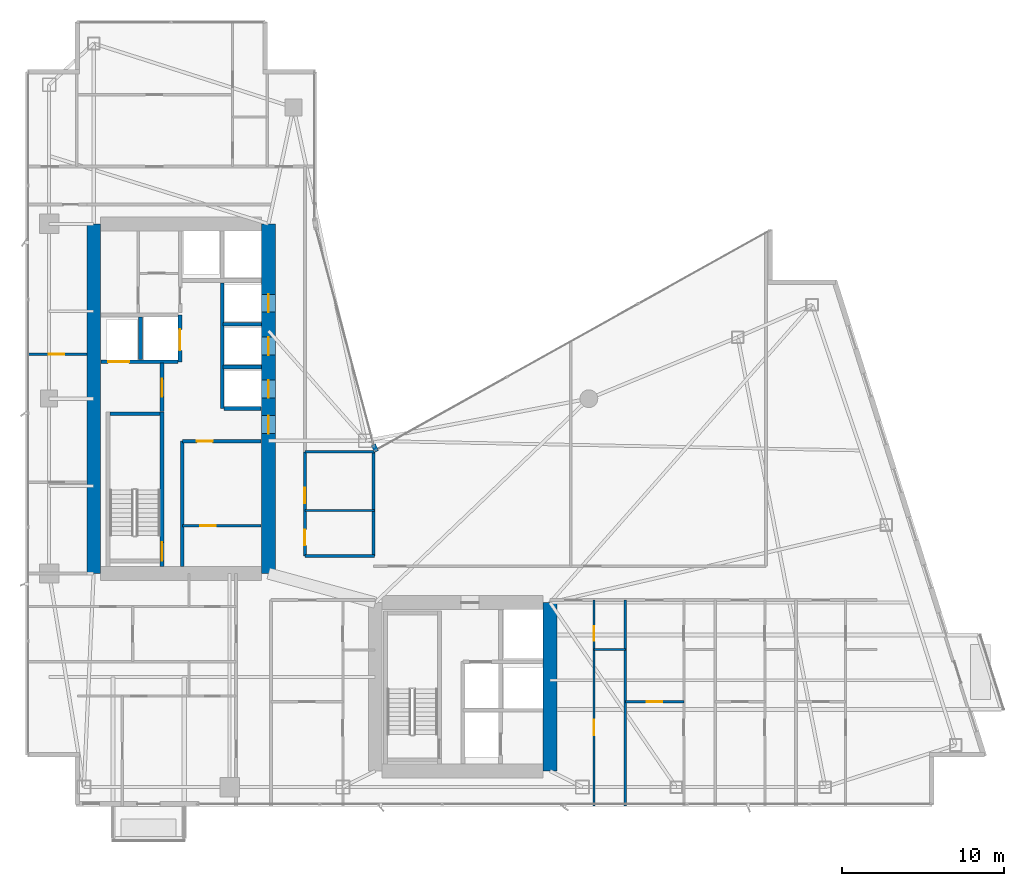
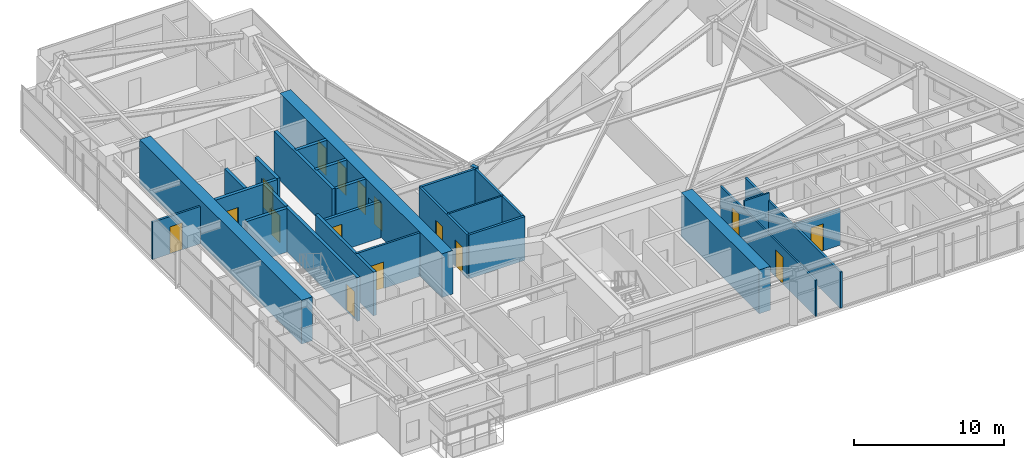
# One storey, part 23 of 29: 27 walls, 16 doors, 16 openings.
"""IFC4 building model written with IfcOpenShell, lengths in metres."""

from ifc_helpers import new_model, si_unit, direction, frame, frame_2d, origin, place, context, subcontext, project, spatial, rectangle, extrude, material, layer, layer_set, type_object, element, fill, save


model = new_model("IFC4")

# Units and contexts
model_context = context("Model", 3, precision=1e-05, world=origin(), true_north=direction((0.0, 1.0)))
body_context = subcontext(model_context, "Body", "Model", "MODEL_VIEW")
ifc_project = project(units=[si_unit("LENGTHUNIT", "METRE"), si_unit("AREAUNIT", "SQUARE_METRE"), si_unit("VOLUMEUNIT", "CUBIC_METRE"), si_unit("PLANEANGLEUNIT", "RADIAN"), si_unit("MASSUNIT", "GRAM", prefix="KILO")], contexts=[model_context])

# Site, building, storey
site_placement = place(None, origin())
site = spatial("IfcSite", under=ifc_project, at=site_placement, CompositionType="ELEMENT")
building_placement = place(site_placement, origin())
building = spatial("IfcBuilding", under=site, at=building_placement, Name="Calvorn Quay Hotel", CompositionType="ELEMENT")
storey_placement = place(building_placement, frame((0.0, 0.0, 167.5)))
storey = spatial("IfcBuildingStorey", under=building, at=storey_placement, Name="L41", CompositionType="ELEMENT", Elevation=167.5)

# Wall
ifc_material_1 = material(Name="Concrete C50", Category="concrete")
ifc_layer_1 = layer(ifc_material_1, 0.85009765625)
ifc_layer_set_1 = layer_set([ifc_layer_1], Name="WL-CORE-850")
wall_type_1 = type_object("IfcWallType", Name="WL-CORE-850", PredefinedType="SHEAR", material=ifc_layer_set_1)
wall_1_placement = place(storey_placement, frame((4.199951171875, 16.800048828125, 0.0), z_axis=(0.0, 0.0, 1.0), x_axis=(0.0, 1.0, 0.0)))
element("IfcWall", 1, at=wall_1_placement, inside=storey, type_object=wall_type_1, Name="West Core Shear Wall W (L41)", PredefinedType="SHEAR", context=body_context, shape_type="SweptSolid", body=[
    extrude(rectangle(XDim=21.599853515625, YDim=0.85009765625, at=frame_2d((10.7998046875, 0.0))), origin(), (0.0, 0.0, 1.0), 3.56005859375),
])

# Wall, openings, doors
wall_2_placement = place(storey_placement, frame((15.0, 16.800048828125, 0.0), z_axis=(0.0, 0.0, 1.0), x_axis=(0.0, 1.0, 0.0)))
wall_2 = element("IfcWall", 2, at=wall_2_placement, inside=storey, type_object=wall_type_1, Name="West Core Shear Wall E (L41)", PredefinedType="SHEAR", context=body_context, shape_type="SweptSolid", body=[
    extrude(rectangle(XDim=21.599853515625, YDim=0.85009765625, at=frame_2d((10.7998046875, 0.0))), origin(), (0.0, 0.0, 1.0), 3.56005859375),
])
opening_1_placement = place(wall_2_placement, frame((8.64990234375, 0.0, 0.0)))
opening_1 = element("IfcOpeningElement", 3, at=opening_1_placement, cuts=wall_2, Name="Opening D-L41-CW1", PredefinedType="OPENING", context=body_context, shape_type="SweptSolid", body=[
    extrude(rectangle(XDim=1.10009765625, YDim=2.199951171875, at=frame_2d((0.550048828125, 1.10009765625))), frame((0.0, 0.43505859375, 0.0), z_axis=(0.0, -1.0, 0.0), x_axis=(1.0, 0.0, 0.0)), (0.0, 0.0, 1.0), 0.8701171875),
])
opening_2_placement = place(wall_2_placement, frame((10.85009765625, 0.0, 0.0)))
opening_2 = element("IfcOpeningElement", 4, at=opening_2_placement, cuts=wall_2, Name="Opening LD-L41-M1", PredefinedType="OPENING", context=body_context, shape_type="SweptSolid", body=[
    extrude(rectangle(XDim=1.10009765625, YDim=2.199951171875, at=frame_2d((0.550048828125, 1.10009765625))), frame((0.0, 0.43505859375, 0.0), z_axis=(0.0, -1.0, 0.0), x_axis=(1.0, 0.0, 0.0)), (0.0, 0.0, 1.0), 0.8701171875),
])
opening_3_placement = place(wall_2_placement, frame((13.5, 0.0, 0.0)))
opening_3 = element("IfcOpeningElement", 5, at=opening_3_placement, cuts=wall_2, Name="Opening LD-L41-M2", PredefinedType="OPENING", context=body_context, shape_type="SweptSolid", body=[
    extrude(rectangle(XDim=1.10009765625, YDim=2.199951171875, at=frame_2d((0.550048828125, 1.10009765625))), frame((0.0, 0.43505859375, 0.0), z_axis=(0.0, -1.0, 0.0), x_axis=(1.0, 0.0, 0.0)), (0.0, 0.0, 1.0), 0.8701171875),
])
opening_4_placement = place(wall_2_placement, frame((16.14990234375, 0.0, 0.0)))
opening_4 = element("IfcOpeningElement", 6, at=opening_4_placement, cuts=wall_2, Name="Opening LD-L41-M3", PredefinedType="OPENING", context=body_context, shape_type="SweptSolid", body=[
    extrude(rectangle(XDim=1.10009765625, YDim=2.199951171875, at=frame_2d((0.550048828125, 1.10009765625))), frame((0.0, 0.43505859375, 0.0), z_axis=(0.0, -1.0, 0.0), x_axis=(1.0, 0.0, 0.0)), (0.0, 0.0, 1.0), 0.8701171875),
])
ifc_material_2 = material(Name="Smoke-Sealed Steel Class A Fire Door", Category="steel")
door_type_1 = type_object("IfcDoorType", Name="DR-FFLOBBY-1100", OperationType="NOTDEFINED", PredefinedType="DOOR", material=ifc_material_2)
door_1_placement = place(opening_1_placement, origin())
door_1 = element("IfcDoor", 7, at=door_1_placement, inside=storey, type_object=door_type_1, Name="West Core Vestibule Fire Door (L41)", OperationType="SINGLE_SWING_RIGHT", OverallHeight=2.199951171875, OverallWidth=1.10009765625, PredefinedType="DOOR", context=body_context, shape_type="SweptSolid", body=[
    extrude(rectangle(XDim=1.10009765625, YDim=2.199951171875, at=frame_2d((0.550048828125, 1.10009765625))), frame((0.0, 0.02490234375, 0.0), z_axis=(0.0, -1.0, 0.0), x_axis=(1.0, 0.0, 0.0)), (0.0, 0.0, 1.0), 0.050048828125),
])
fill(opening_1, door_1)
ifc_material_3 = material(Name="Brushed Stainless Steel Sliding Lift Landing Door", Category="steel")
door_type_2 = type_object("IfcDoorType", Name="DR-LIFT-PASS-1100", OperationType="NOTDEFINED", PredefinedType="DOOR", material=ifc_material_3)
door_2_placement = place(opening_2_placement, origin())
door_2 = element("IfcDoor", 8, at=door_2_placement, inside=storey, type_object=door_type_2, Name="Mid-Rise Lift PL-M1 Landing Door (L41)", OperationType="DOUBLE_DOOR_SLIDING", OverallHeight=2.199951171875, OverallWidth=1.10009765625, PredefinedType="DOOR", context=body_context, shape_type="SweptSolid", body=[
    extrude(rectangle(XDim=1.10009765625, YDim=2.199951171875, at=frame_2d((0.550048828125, 1.10009765625))), frame((0.0, 0.02490234375, 0.0), z_axis=(0.0, -1.0, 0.0), x_axis=(1.0, 0.0, 0.0)), (0.0, 0.0, 1.0), 0.050048828125),
])
fill(opening_2, door_2)
door_3_placement = place(opening_3_placement, origin())
door_3 = element("IfcDoor", 9, at=door_3_placement, inside=storey, type_object=door_type_2, Name="Mid-Rise Lift PL-M2 Landing Door (L41)", OperationType="DOUBLE_DOOR_SLIDING", OverallHeight=2.199951171875, OverallWidth=1.10009765625, PredefinedType="DOOR", context=body_context, shape_type="SweptSolid", body=[
    extrude(rectangle(XDim=1.10009765625, YDim=2.199951171875, at=frame_2d((0.550048828125, 1.10009765625))), frame((0.0, 0.02490234375, 0.0), z_axis=(0.0, -1.0, 0.0), x_axis=(1.0, 0.0, 0.0)), (0.0, 0.0, 1.0), 0.050048828125),
])
fill(opening_3, door_3)
door_4_placement = place(opening_4_placement, origin())
door_4 = element("IfcDoor", 10, at=door_4_placement, inside=storey, type_object=door_type_2, Name="Mid-Rise Lift PL-M3 Landing Door (L41)", OperationType="DOUBLE_DOOR_SLIDING", OverallHeight=2.199951171875, OverallWidth=1.10009765625, PredefinedType="DOOR", context=body_context, shape_type="SweptSolid", body=[
    extrude(rectangle(XDim=1.10009765625, YDim=2.199951171875, at=frame_2d((0.550048828125, 1.10009765625))), frame((0.0, 0.02490234375, 0.0), z_axis=(0.0, -1.0, 0.0), x_axis=(1.0, 0.0, 0.0)), (0.0, 0.0, 1.0), 0.050048828125),
])
fill(opening_4, door_4)

# Walls
wall_3_placement = place(storey_placement, frame((32.39990234375, 4.60009765625, 0.0), z_axis=(0.0, 0.0, 1.0), x_axis=(0.0, 1.0, 0.0)))
element("IfcWall", 11, at=wall_3_placement, inside=storey, type_object=wall_type_1, Name="East Core Shear Wall E (L41)", PredefinedType="SHEAR", context=body_context, shape_type="SweptSolid", body=[
    extrude(rectangle(XDim=10.39990234375, YDim=0.85009765625, at=frame_2d((5.199951171875, 0.0))), origin(), (0.0, 0.0, 1.0), 3.56005859375),
])
ifc_material_4 = material(Name="Acoustic Fireboard Steel-Stud Partition", Category="steel")
ifc_layer_2 = layer(ifc_material_4, 0.179931640625)
ifc_layer_set_2 = layer_set([ifc_layer_2], Name="WL-CORR-FIRE-180")
wall_type_2 = type_object("IfcWallType", Name="WL-CORR-FIRE-180", PredefinedType="PARTITIONING", material=ifc_layer_set_2)
wall_4_placement = place(storey_placement, frame((17.25, 17.8798828125, 0.0), z_axis=(0.0, 0.0, 1.0), x_axis=(1.0, 0.0, 0.0)))
element("IfcWall", 12, at=wall_4_placement, inside=storey, type_object=wall_type_2, Name="Partition Wall L41-WL-HK-S", PredefinedType="PARTITIONING", context=body_context, shape_type="SweptSolid", body=[
    extrude(rectangle(XDim=4.300048828125, YDim=0.179931640625, at=frame_2d((2.14990234375, 0.0))), origin(), (0.0, 0.0, 1.0), 3.56005859375),
])
wall_5_placement = place(storey_placement, frame((17.25, 24.320068359375, 0.0), z_axis=(0.0, 0.0, 1.0), x_axis=(1.0, 0.0, 0.0)))
element("IfcWall", 13, at=wall_5_placement, inside=storey, type_object=wall_type_2, Name="Partition Wall L41-WL-HK-N", PredefinedType="PARTITIONING", context=body_context, shape_type="SweptSolid", body=[
    extrude(rectangle(XDim=4.35009765625, YDim=0.179931640625, at=frame_2d((2.175048828125, 0.0))), origin(), (0.0, 0.0, 1.0), 3.56005859375),
])
wall_6_placement = place(storey_placement, frame((21.5, 17.8798828125, 0.0), z_axis=(0.0, 0.0, 1.0), x_axis=(0.0, 1.0, 0.0)))
element("IfcWall", 14, at=wall_6_placement, inside=storey, type_object=wall_type_2, Name="Partition Wall L41-WL-HK-E", PredefinedType="PARTITIONING", context=body_context, shape_type="SweptSolid", body=[
    extrude(rectangle(XDim=6.440185546875, YDim=0.179931640625, at=frame_2d((3.22021484375, 0.0))), origin(), (0.0, 0.0, 1.0), 3.56005859375),
])

# Wall, openings, doors
wall_7_placement = place(storey_placement, frame((17.25, 17.8798828125, 0.0), z_axis=(0.0, 0.0, 1.0), x_axis=(0.0, 1.0, 0.0)))
wall_7 = element("IfcWall", 15, at=wall_7_placement, inside=storey, type_object=wall_type_2, Name="Partition Wall L41-WL-HK-W", PredefinedType="PARTITIONING", context=body_context, shape_type="SweptSolid", body=[
    extrude(rectangle(XDim=6.440185546875, YDim=0.179931640625, at=frame_2d((3.22021484375, 0.0))), origin(), (0.0, 0.0, 1.0), 3.56005859375),
])
opening_5_placement = place(wall_7_placement, frame((0.64990234375, 0.0, 0.0)))
opening_5 = element("IfcOpeningElement", 16, at=opening_5_placement, cuts=wall_7, Name="Opening D-L41-HK", PredefinedType="OPENING", context=body_context, shape_type="SweptSolid", body=[
    extrude(rectangle(XDim=0.97998046875, YDim=2.14990234375, at=frame_2d((0.489990234375, 1.074951171875))), frame((0.0, 0.099853515625, 0.0), z_axis=(0.0, -1.0, 0.0), x_axis=(1.0, 0.0, 0.0)), (0.0, 0.0, 1.0), 0.199951171875),
])
opening_6_placement = place(wall_7_placement, frame((3.27001953125, 0.0, 0.0)))
opening_6 = element("IfcOpeningElement", 17, at=opening_6_placement, cuts=wall_7, Name="Opening D-L41-NCP", PredefinedType="OPENING", context=body_context, shape_type="SweptSolid", body=[
    extrude(rectangle(XDim=0.9599609375, YDim=2.199951171875, at=frame_2d((0.47998046875, 1.10009765625))), frame((0.0, 0.099853515625, 0.0), z_axis=(0.0, -1.0, 0.0), x_axis=(1.0, 0.0, 0.0)), (0.0, 0.0, 1.0), 0.199951171875),
])
ifc_material_5 = material(Name="Painted Steel Housekeeping/Riser Fire Door", Category="steel")
door_type_3 = type_object("IfcDoorType", Name="DR-SERVICE-980", OperationType="NOTDEFINED", PredefinedType="DOOR", material=ifc_material_5)
door_5_placement = place(opening_5_placement, origin())
door_5 = element("IfcDoor", 18, at=door_5_placement, inside=storey, type_object=door_type_3, Name="Floor Housekeeping Door (L41)", OperationType="SINGLE_SWING_LEFT", OverallHeight=2.14990234375, OverallWidth=0.97998046875, PredefinedType="DOOR", context=body_context, shape_type="SweptSolid", body=[
    extrude(rectangle(XDim=0.97998046875, YDim=2.14990234375, at=frame_2d((0.489990234375, 1.074951171875))), frame((0.0, 0.02490234375, 0.0), z_axis=(0.0, -1.0, 0.0), x_axis=(1.0, 0.0, 0.0)), (0.0, 0.0, 1.0), 0.050048828125),
])
fill(opening_5, door_5)
ifc_material_6 = material(Name="Solid Timber Internal Suite Door", Category="wood")
door_type_4 = type_object("IfcDoorType", Name="DR-SUITE-INT-960", OperationType="NOTDEFINED", PredefinedType="DOOR", material=ifc_material_6)
door_6_placement = place(opening_6_placement, origin())
door_6 = element("IfcDoor", 19, at=door_6_placement, inside=storey, type_object=door_type_4, Name="Reading Alcove Door (L41)", OperationType="SINGLE_SWING_RIGHT", OverallHeight=2.199951171875, OverallWidth=0.9599609375, PredefinedType="DOOR", context=body_context, shape_type="SweptSolid", body=[
    extrude(rectangle(XDim=0.9599609375, YDim=2.199951171875, at=frame_2d((0.47998046875, 1.10009765625))), frame((0.0, 0.02490234375, 0.0), z_axis=(0.0, -1.0, 0.0), x_axis=(1.0, 0.0, 0.0)), (0.0, 0.0, 1.0), 0.050048828125),
])
fill(opening_6, door_6)

# Walls
ifc_material_7 = material(Name="Moisture-Resistant Tile-Backed Partition")
ifc_layer_3 = layer(ifc_material_7, 0.125)
ifc_layer_set_3 = layer_set([ifc_layer_3], Name="WL-ENSUITE-125")
wall_type_3 = type_object("IfcWallType", Name="WL-ENSUITE-125", PredefinedType="PARTITIONING", material=ifc_layer_set_3)
wall_8_placement = place(storey_placement, frame((17.25, 20.679931640625, 0.0), z_axis=(0.0, 0.0, 1.0), x_axis=(1.0, 0.0, 0.0)))
element("IfcWall", 20, at=wall_8_placement, inside=storey, type_object=wall_type_3, Name="Partition Wall L41-WL-HK-M", PredefinedType="PARTITIONING", context=body_context, shape_type="SweptSolid", body=[
    extrude(rectangle(XDim=4.300048828125, YDim=0.125, at=frame_2d((2.14990234375, 0.0))), origin(), (0.0, 0.0, 1.0), 3.56005859375),
])
wall_9_placement = place(storey_placement, frame((35.1201171875, 12.10009765625, 0.0), z_axis=(0.0, 0.0, 1.0), x_axis=(1.0, 0.0, 0.0)))
element("IfcWall", 21, at=wall_9_placement, inside=storey, type_object=wall_type_3, Name="Partition Wall L41-WL-U05-BDV", PredefinedType="PARTITIONING", context=body_context, shape_type="SweptSolid", body=[
    extrude(rectangle(XDim=1.929931640625, YDim=0.125, at=frame_2d((0.96484375, 0.0))), origin(), (0.0, 0.0, 1.0), 3.56005859375),
])

# Wall, openings, doors
wall_10_placement = place(storey_placement, frame((35.1201171875, 2.43994140625, 0.0), z_axis=(0.0, 0.0, 1.0), x_axis=(0.0, 1.0, 0.0)))
wall_10 = element("IfcWall", 22, at=wall_10_placement, inside=storey, type_object=wall_type_3, Name="Partition Wall L41-WL-U05-BV", PredefinedType="PARTITIONING", context=body_context, shape_type="SweptSolid", body=[
    extrude(rectangle(XDim=12.7099609375, YDim=0.125, at=frame_2d((6.35498046875, 0.0))), origin(), (0.0, 0.0, 1.0), 2.93994140625),
])
opening_7_placement = place(wall_10_placement, frame((4.35009765625, 0.0, 0.0)))
opening_7 = element("IfcOpeningElement", 23, at=opening_7_placement, cuts=wall_10, Name="Opening D-L41-S05", PredefinedType="OPENING", context=body_context, shape_type="SweptSolid", body=[
    extrude(rectangle(XDim=0.9599609375, YDim=2.199951171875, at=frame_2d((0.47998046875, 1.10009765625))), frame((0.0, 0.072509765625, 0.0), z_axis=(0.0, -1.0, 0.0), x_axis=(1.0, 0.0, 0.0)), (0.0, 0.0, 1.0), 0.14501953125),
])
opening_8_placement = place(wall_10_placement, frame((10.2099609375, 0.0, 0.0)))
opening_8 = element("IfcOpeningElement", 24, at=opening_8_placement, cuts=wall_10, Name="Opening D-L41-E05", PredefinedType="OPENING", context=body_context, shape_type="SweptSolid", body=[
    extrude(rectangle(XDim=0.89990234375, YDim=2.14990234375, at=frame_2d((0.449951171875, 1.074951171875))), frame((0.0, 0.072509765625, 0.0), z_axis=(0.0, -1.0, 0.0), x_axis=(1.0, 0.0, 0.0)), (0.0, 0.0, 1.0), 0.14501953125),
])
ifc_material_8 = material(Name="Moisture-Sealed Timber En-Suite Door", Category="wood")
door_type_5 = type_object("IfcDoorType", Name="DR-ENSUITE-900", OperationType="NOTDEFINED", PredefinedType="DOOR", material=ifc_material_8)
door_7_placement = place(opening_8_placement, origin())
door_7 = element("IfcDoor", 25, at=door_7_placement, inside=storey, type_object=door_type_5, Name="En-Suite Door 05", OperationType="SINGLE_SWING_RIGHT", OverallHeight=2.14990234375, OverallWidth=0.89990234375, PredefinedType="DOOR", context=body_context, shape_type="SweptSolid", body=[
    extrude(rectangle(XDim=0.89990234375, YDim=2.14990234375, at=frame_2d((0.449951171875, 1.074951171875))), frame((0.0, 0.02490234375, 0.0), z_axis=(0.0, -1.0, 0.0), x_axis=(1.0, 0.0, 0.0)), (0.0, 0.0, 1.0), 0.050048828125),
])
fill(opening_8, door_7)
door_8_placement = place(opening_7_placement, origin())
door_8 = element("IfcDoor", 26, at=door_8_placement, inside=storey, type_object=door_type_4, Name="Private Media Cinema Door 05", OperationType="SINGLE_SWING_LEFT", OverallHeight=2.199951171875, OverallWidth=0.9599609375, PredefinedType="DOOR", context=body_context, shape_type="SweptSolid", body=[
    extrude(rectangle(XDim=0.9599609375, YDim=2.199951171875, at=frame_2d((0.47998046875, 1.10009765625))), frame((0.0, 0.02490234375, 0.0), z_axis=(0.0, -1.0, 0.0), x_axis=(1.0, 0.0, 0.0)), (0.0, 0.0, 1.0), 0.050048828125),
])
fill(opening_7, door_8)

# Wall
ifc_material_9 = material(Name="Concrete C40", Category="concrete")
ifc_layer_4 = layer(ifc_material_9, 0.320068359375)
ifc_layer_set_4 = layer_set([ifc_layer_4], Name="WL-EXT-SPANDREL-320")
wall_type_4 = type_object("IfcWallType", Name="WL-EXT-SPANDREL-320", PredefinedType="SOLIDWALL", material=ifc_layer_set_4)
wall_11_placement = place(storey_placement, frame((21.679931640625, 24.340087890625, 0.0), z_axis=(0.0, 0.0, 1.0), x_axis=(-0.40758134973, 0.913168901875, 0.0)))
element("IfcWall", 27, at=wall_11_placement, inside=storey, type_object=wall_type_4, Name="Inner Court Corner Pier L41-ICJ1", PredefinedType="SOLIDWALL", context=body_context, shape_type="SweptSolid", body=[
    extrude(rectangle(XDim=0.470703125, YDim=0.280029296875, at=frame_2d((0.2353515625, 0.0))), origin(), (0.0, 0.0, 1.0), 3.56005859375),
])

# Wall, opening, door
ifc_material_10 = material(Name="Double-Stud Acoustic Gypsum Partition")
ifc_layer_5 = layer(ifc_material_10, 0.159912109375)
ifc_layer_set_5 = layer_set([ifc_layer_5], Name="WL-INTERSUITE-160")
wall_type_5 = type_object("IfcWallType", Name="WL-INTERSUITE-160", PredefinedType="PARTITIONING", material=ifc_layer_set_5)
wall_12_placement = place(storey_placement, frame((9.679931640625, 19.75, 0.0), z_axis=(0.0, 0.0, 1.0), x_axis=(1.0, 0.0, 0.0)))
wall_12 = element("IfcWall", 28, at=wall_12_placement, inside=storey, type_object=wall_type_5, Name="Partition Wall L41-WL-CWW-FR-SPLIT", PredefinedType="PARTITIONING", context=body_context, shape_type="SweptSolid", body=[
    extrude(rectangle(XDim=4.875, YDim=0.159912109375, at=frame_2d((2.4375, 0.0))), origin(), (0.0, 0.0, 1.0), 3.56005859375),
])
opening_9_placement = place(wall_12_placement, frame((1.10009765625, 0.0, 0.0)))
opening_9 = element("IfcOpeningElement", 29, at=opening_9_placement, cuts=wall_12, Name="Opening D-L41-FRL1", PredefinedType="OPENING", context=body_context, shape_type="SweptSolid", body=[
    extrude(rectangle(XDim=0.97998046875, YDim=2.14990234375, at=frame_2d((0.489990234375, 1.074951171875))), frame((0.0, 0.08984375, 0.0), z_axis=(0.0, -1.0, 0.0), x_axis=(1.0, 0.0, 0.0)), (0.0, 0.0, 1.0), 0.179931640625),
])
door_9_placement = place(opening_9_placement, origin())
door_9 = element("IfcDoor", 30, at=door_9_placement, inside=storey, type_object=door_type_3, Name="Linen Store Room Door (L41)", OperationType="SINGLE_SWING_LEFT", OverallHeight=2.14990234375, OverallWidth=0.97998046875, PredefinedType="DOOR", context=body_context, shape_type="SweptSolid", body=[
    extrude(rectangle(XDim=0.97998046875, YDim=2.14990234375, at=frame_2d((0.489990234375, 1.074951171875))), frame((0.0, 0.02490234375, 0.0), z_axis=(0.0, -1.0, 0.0), x_axis=(1.0, 0.0, 0.0)), (0.0, 0.0, 1.0), 0.050048828125),
])
fill(opening_9, door_9)

wall_13_placement = place(storey_placement, frame((0.080078125, 30.35009765625, 0.0), z_axis=(0.0, 0.0, 1.0), x_axis=(1.0, 0.0, 0.0)))
wall_13 = element("IfcWall", 31, at=wall_13_placement, inside=storey, type_object=wall_type_5, Name="Partition Wall L41-WL-WBAY-DIVB", PredefinedType="PARTITIONING", context=body_context, shape_type="SweptSolid", body=[
    extrude(rectangle(XDim=3.724853515625, YDim=0.159912109375, at=frame_2d((1.8623046875, 0.0))), origin(), (0.0, 0.0, 1.0), 3.0400390625),
])
opening_10_placement = place(wall_13_placement, frame((1.35009765625, 0.0, 0.0)))
opening_10 = element("IfcOpeningElement", 32, at=opening_10_placement, cuts=wall_13, Name="Opening D-L41-WBB", PredefinedType="OPENING", context=body_context, shape_type="SweptSolid", body=[
    extrude(rectangle(XDim=0.9599609375, YDim=2.199951171875, at=frame_2d((0.47998046875, 1.10009765625))), frame((0.0, 0.08984375, 0.0), z_axis=(0.0, -1.0, 0.0), x_axis=(1.0, 0.0, 0.0)), (0.0, 0.0, 1.0), 0.179931640625),
])
door_10_placement = place(opening_10_placement, origin())
door_10 = element("IfcDoor", 33, at=door_10_placement, inside=storey, type_object=door_type_4, Name="West North Connecting Door (L41)", OperationType="SINGLE_SWING_RIGHT", OverallHeight=2.199951171875, OverallWidth=0.9599609375, PredefinedType="DOOR", context=body_context, shape_type="SweptSolid", body=[
    extrude(rectangle(XDim=0.9599609375, YDim=2.199951171875, at=frame_2d((0.47998046875, 1.10009765625))), frame((0.0, 0.02490234375, 0.0), z_axis=(0.0, -1.0, 0.0), x_axis=(1.0, 0.0, 0.0)), (0.0, 0.0, 1.0), 0.050048828125),
])
fill(opening_10, door_10)

wall_14_placement = place(storey_placement, frame((37.050048828125, 8.8798828125, 0.0), z_axis=(0.0, 0.0, 1.0), x_axis=(1.0, 0.0, 0.0)))
wall_14 = element("IfcWall", 34, at=wall_14_placement, inside=storey, type_object=wall_type_5, Name="Partition Wall L41-WL-U06-MSP", PredefinedType="PARTITIONING", context=body_context, shape_type="SweptSolid", body=[
    extrude(rectangle(XDim=3.619873046875, YDim=0.159912109375, at=frame_2d((1.81005859375, 0.0))), origin(), (0.0, 0.0, 1.0), 2.93994140625),
])
opening_11_placement = place(wall_14_placement, frame((1.330078125, 0.0, 0.0)))
opening_11 = element("IfcOpeningElement", 35, at=opening_11_placement, cuts=wall_14, Name="Opening D-L41-M06", PredefinedType="OPENING", context=body_context, shape_type="SweptSolid", body=[
    extrude(rectangle(XDim=0.9599609375, YDim=2.199951171875, at=frame_2d((0.47998046875, 1.10009765625))), frame((0.0, 0.08984375, 0.0), z_axis=(0.0, -1.0, 0.0), x_axis=(1.0, 0.0, 0.0)), (0.0, 0.0, 1.0), 0.179931640625),
])
door_11_placement = place(opening_11_placement, origin())
door_11 = element("IfcDoor", 36, at=door_11_placement, inside=storey, type_object=door_type_4, Name="Suite Bedroom Door 06", OperationType="SINGLE_SWING_LEFT", OverallHeight=2.199951171875, OverallWidth=0.9599609375, PredefinedType="DOOR", context=body_context, shape_type="SweptSolid", body=[
    extrude(rectangle(XDim=0.9599609375, YDim=2.199951171875, at=frame_2d((0.47998046875, 1.10009765625))), frame((0.0, 0.02490234375, 0.0), z_axis=(0.0, -1.0, 0.0), x_axis=(1.0, 0.0, 0.0)), (0.0, 0.0, 1.0), 0.050048828125),
])
fill(opening_11, door_11)

# Walls
wall_15_placement = place(storey_placement, frame((37.050048828125, 2.43994140625, 0.0), z_axis=(0.0, 0.0, 1.0), x_axis=(0.0, 1.0, 0.0)))
element("IfcWall", 37, at=wall_15_placement, inside=storey, type_object=wall_type_5, Name="Partition Wall L41-WL-SE-DIV-1", PredefinedType="PARTITIONING", context=body_context, shape_type="SweptSolid", body=[
    extrude(rectangle(XDim=12.7099609375, YDim=0.159912109375, at=frame_2d((6.35498046875, 0.0))), origin(), (0.0, 0.0, 1.0), 2.93994140625),
])
ifc_material_11 = material(Name="Autoclaved Aerated Masonry Block", Category="masonry")
ifc_layer_6 = layer(ifc_material_11, 0.219970703125)
ifc_layer_set_6 = layer_set([ifc_layer_6], Name="WL-LOBBY-FIRE-220")
wall_type_6 = type_object("IfcWallType", Name="WL-LOBBY-FIRE-220", PredefinedType="SOLIDWALL", material=ifc_layer_set_6)
wall_16_placement = place(storey_placement, frame((9.679931640625, 17.2451171875, 0.0), z_axis=(0.0, 0.0, 1.0), x_axis=(0.0, 1.0, 0.0)))
element("IfcWall", 38, at=wall_16_placement, inside=storey, type_object=wall_type_6, Name="Partition Wall L41-WL-CWW-STW-HALL-E", PredefinedType="SOLIDWALL", context=body_context, shape_type="SweptSolid", body=[
    extrude(rectangle(XDim=7.7548828125, YDim=0.219970703125, at=frame_2d((3.87744140625, 0.0))), origin(), (0.0, 0.0, 1.0), 3.56005859375),
])

# Wall, opening, door
wall_17_placement = place(storey_placement, frame((9.679931640625, 24.969970703125, 0.0), z_axis=(0.0, 0.0, 1.0), x_axis=(1.0, 0.0, 0.0)))
wall_17 = element("IfcWall", 39, at=wall_17_placement, inside=storey, type_object=wall_type_6, Name="Partition Wall L41-WL-CWW-FR-N", PredefinedType="SOLIDWALL", context=body_context, shape_type="SweptSolid", body=[
    extrude(rectangle(XDim=4.875, YDim=0.219970703125, at=frame_2d((2.4375, 0.0))), origin(), (0.0, 0.0, 1.0), 2.93994140625),
])
opening_12_placement = place(wall_17_placement, frame((0.89990234375, 0.0, 0.0)))
opening_12 = element("IfcOpeningElement", 40, at=opening_12_placement, cuts=wall_17, Name="Opening D-L41-FRL2", PredefinedType="OPENING", context=body_context, shape_type="SweptSolid", body=[
    extrude(rectangle(XDim=0.97998046875, YDim=2.14990234375, at=frame_2d((0.489990234375, 1.074951171875))), frame((0.0, 0.119873046875, 0.0), z_axis=(0.0, -1.0, 0.0), x_axis=(1.0, 0.0, 0.0)), (0.0, 0.0, 1.0), 0.239990234375),
])
door_12_placement = place(opening_12_placement, origin())
door_12 = element("IfcDoor", 41, at=door_12_placement, inside=storey, type_object=door_type_3, Name="Beverage Pantry Door (L41)", OperationType="SINGLE_SWING_RIGHT", OverallHeight=2.14990234375, OverallWidth=0.97998046875, PredefinedType="DOOR", context=body_context, shape_type="SweptSolid", body=[
    extrude(rectangle(XDim=0.97998046875, YDim=2.14990234375, at=frame_2d((0.489990234375, 1.074951171875))), frame((0.0, 0.02490234375, 0.0), z_axis=(0.0, -1.0, 0.0), x_axis=(1.0, 0.0, 0.0)), (0.0, 0.0, 1.0), 0.050048828125),
])
fill(opening_12, door_12)

ifc_material_12 = material(Name="Concrete C40", Category="concrete")
ifc_layer_7 = layer(ifc_material_12, 0.239990234375)
ifc_layer_set_7 = layer_set([ifc_layer_7], Name="WL-SHAFT-240")
wall_type_7 = type_object("IfcWallType", Name="WL-SHAFT-240", PredefinedType="SOLIDWALL", material=ifc_layer_set_7)
wall_18_placement = place(storey_placement, frame((8.419921875, 17.22509765625, 0.0), z_axis=(0.0, 0.0, 1.0), x_axis=(0.0, 1.0, 0.0)))
wall_18 = element("IfcWall", 42, at=wall_18_placement, inside=storey, type_object=wall_type_7, Name="Stair STW Shaft Wall E (L41)", PredefinedType="SOLIDWALL", context=body_context, shape_type="SweptSolid", body=[
    extrude(rectangle(XDim=9.56494140625, YDim=0.239990234375, at=frame_2d((4.782470703125, 0.0))), origin(), (0.0, 0.0, 1.0), 3.56005859375),
])
opening_13_placement = place(wall_18_placement, frame((0.35009765625, 0.0, 0.0)))
opening_13 = element("IfcOpeningElement", 43, at=opening_13_placement, cuts=wall_18, Name="Opening D-L41-STW", PredefinedType="OPENING", context=body_context, shape_type="SweptSolid", body=[
    extrude(rectangle(XDim=1.14990234375, YDim=2.199951171875, at=frame_2d((0.574951171875, 1.10009765625))), frame((0.0, 0.1298828125, 0.0), z_axis=(0.0, -1.0, 0.0), x_axis=(1.0, 0.0, 0.0)), (0.0, 0.0, 1.0), 0.260009765625),
])
ifc_material_13 = material(Name="Galvanised Steel Class A Fire Door", Category="steel")
door_type_6 = type_object("IfcDoorType", Name="DR-STAIR-SMOKE-1150", OperationType="NOTDEFINED", PredefinedType="DOOR", material=ifc_material_13)
door_13_placement = place(opening_13_placement, origin())
door_13 = element("IfcDoor", 44, at=door_13_placement, inside=storey, type_object=door_type_6, Name="Stair ST-W Fire Door (L41)", OperationType="SINGLE_SWING_LEFT", OverallHeight=2.199951171875, OverallWidth=1.14990234375, PredefinedType="DOOR", context=body_context, shape_type="SweptSolid", body=[
    extrude(rectangle(XDim=1.14990234375, YDim=2.199951171875, at=frame_2d((0.574951171875, 1.10009765625))), frame((0.0, 0.02490234375, 0.0), z_axis=(0.0, -1.0, 0.0), x_axis=(1.0, 0.0, 0.0)), (0.0, 0.0, 1.0), 0.050048828125),
])
fill(opening_13, door_13)

# Walls
wall_19_placement = place(storey_placement, frame((5.199951171875, 26.669921875, 0.0), z_axis=(0.0, 0.0, 1.0), x_axis=(1.0, 0.0, 0.0)))
element("IfcWall", 45, at=wall_19_placement, inside=storey, type_object=wall_type_7, Name="Stair STW Shaft Wall N (L41)", PredefinedType="SOLIDWALL", context=body_context, shape_type="SweptSolid", body=[
    extrude(rectangle(XDim=3.10009765625, YDim=0.239990234375, at=frame_2d((1.550048828125, 0.0))), origin(), (0.0, 0.0, 1.0), 3.56005859375),
])
for number, where, z_axis, x_axis, name in (
    (46, (12.179931640625, 29.550048828125, 0.0), (0.0, 0.0, 1.0), (1.0, 0.0, 0.0), "Lift Hoistway Divider Wall PLM12 (L41)"),
    (47, (12.179931640625, 32.199951171875, 0.0), (0.0, 0.0, 1.0), (1.0, 0.0, 0.0), "Lift Hoistway Divider Wall PLM23 (L41)"),
):
    element("IfcWall", number, at=place(storey_placement, frame(where, z_axis=z_axis, x_axis=x_axis)), inside=storey, type_object=wall_type_7, Name=name, PredefinedType="SOLIDWALL", context=body_context, shape_type="SweptSolid", body=[
        extrude(rectangle(XDim=2.39501953125, YDim=0.239990234375, at=frame_2d((1.197509765625, 0.0))), origin(), (0.0, 0.0, 1.0), 3.56005859375),
    ])

# Wall, opening, door
wall_20_placement = place(storey_placement, frame((8.419921875, 26.820068359375, 0.0), z_axis=(0.0, 0.0, 1.0), x_axis=(0.0, 1.0, 0.0)))
wall_20 = element("IfcWall", 48, at=wall_20_placement, inside=storey, type_object=wall_type_7, Name="Partition Wall L41-WL-CWW-FFL-E", PredefinedType="SOLIDWALL", context=body_context, shape_type="SweptSolid", body=[
    extrude(rectangle(XDim=3.0, YDim=0.239990234375, at=frame_2d((1.5, 0.0))), origin(), (0.0, 0.0, 1.0), 3.56005859375),
])
opening_14_placement = place(wall_20_placement, frame((0.89990234375, 0.0, 0.0)))
opening_14 = element("IfcOpeningElement", 49, at=opening_14_placement, cuts=wall_20, Name="Opening D-L41-FLW", PredefinedType="OPENING", context=body_context, shape_type="SweptSolid", body=[
    extrude(rectangle(XDim=1.10009765625, YDim=2.199951171875, at=frame_2d((0.550048828125, 1.10009765625))), frame((0.0, 0.1298828125, 0.0), z_axis=(0.0, -1.0, 0.0), x_axis=(1.0, 0.0, 0.0)), (0.0, 0.0, 1.0), 0.260009765625),
])
door_14_placement = place(opening_14_placement, origin())
door_14 = element("IfcDoor", 50, at=door_14_placement, inside=storey, type_object=door_type_1, Name="West Firefighting Lobby Fire Door (L41)", OperationType="SINGLE_SWING_RIGHT", OverallHeight=2.199951171875, OverallWidth=1.10009765625, PredefinedType="DOOR", context=body_context, shape_type="SweptSolid", body=[
    extrude(rectangle(XDim=1.10009765625, YDim=2.199951171875, at=frame_2d((0.550048828125, 1.10009765625))), frame((0.0, 0.02490234375, 0.0), z_axis=(0.0, -1.0, 0.0), x_axis=(1.0, 0.0, 0.0)), (0.0, 0.0, 1.0), 0.050048828125),
])
fill(opening_14, door_14)

wall_21_placement = place(storey_placement, frame((4.64501953125, 29.8798828125, 0.0), z_axis=(0.0, 0.0, 1.0), x_axis=(1.0, 0.0, 0.0)))
wall_21 = element("IfcWall", 51, at=wall_21_placement, inside=storey, type_object=wall_type_7, Name="Partition Wall L41-WL-CWW-FLW-S", PredefinedType="SOLIDWALL", context=body_context, shape_type="SweptSolid", body=[
    extrude(rectangle(XDim=4.77490234375, YDim=0.239990234375, at=frame_2d((2.387451171875, 0.0))), origin(), (0.0, 0.0, 1.0), 3.56005859375),
])
opening_15_placement = place(wall_21_placement, frame((0.449951171875, 0.0, 0.0)))
opening_15 = element("IfcOpeningElement", 52, at=opening_15_placement, cuts=wall_21, Name="Opening LD-L41-FLW1", PredefinedType="OPENING", context=body_context, shape_type="SweptSolid", body=[
    extrude(rectangle(XDim=1.300048828125, YDim=2.35009765625, at=frame_2d((0.64990234375, 1.175048828125))), frame((0.0, 0.1298828125, 0.0), z_axis=(0.0, -1.0, 0.0), x_axis=(1.0, 0.0, 0.0)), (0.0, 0.0, 1.0), 0.260009765625),
])
ifc_material_14 = material(Name="Champagne-Bronze Sliding Express Lift Landing Door")
door_type_7 = type_object("IfcDoorType", Name="DR-LIFT-SHUTTLE-1300", OperationType="NOTDEFINED", PredefinedType="DOOR", material=ifc_material_14)
door_15_placement = place(opening_15_placement, origin())
door_15 = element("IfcDoor", 53, at=door_15_placement, inside=storey, type_object=door_type_7, Name="Firefighting Lift FL-W1 Landing Door (L41)", OperationType="DOUBLE_DOOR_SLIDING", OverallHeight=2.35009765625, OverallWidth=1.300048828125, PredefinedType="DOOR", context=body_context, shape_type="SweptSolid", body=[
    extrude(rectangle(XDim=1.300048828125, YDim=2.35009765625, at=frame_2d((0.64990234375, 1.175048828125))), frame((0.0, 0.02490234375, 0.0), z_axis=(0.0, -1.0, 0.0), x_axis=(1.0, 0.0, 0.0)), (0.0, 0.0, 1.0), 0.050048828125),
])
fill(opening_15, door_15)

# Wall
wall_22_placement = place(storey_placement, frame((7.10009765625, 30.02001953125, 0.0), z_axis=(0.0, 0.0, 1.0), x_axis=(0.0, 1.0, 0.0)))
element("IfcWall", 54, at=wall_22_placement, inside=storey, type_object=wall_type_7, Name="Partition Wall L41-WL-CWW-FLW-DIV", PredefinedType="SOLIDWALL", context=body_context, shape_type="SweptSolid", body=[
    extrude(rectangle(XDim=2.6298828125, YDim=0.239990234375, at=frame_2d((1.31494140625, 0.0))), origin(), (0.0, 0.0, 1.0), 3.56005859375),
])

# Wall, opening, door
wall_23_placement = place(storey_placement, frame((9.5400390625, 29.8798828125, 0.0), z_axis=(0.0, 0.0, 1.0), x_axis=(0.0, 1.0, 0.0)))
wall_23 = element("IfcWall", 55, at=wall_23_placement, inside=storey, type_object=wall_type_7, Name="Partition Wall L41-WL-CWW-SLW-E", PredefinedType="SOLIDWALL", context=body_context, shape_type="SweptSolid", body=[
    extrude(rectangle(XDim=2.900146484375, YDim=0.239990234375, at=frame_2d((1.4501953125, 0.0))), origin(), (0.0, 0.0, 1.0), 3.56005859375),
])
opening_16_placement = place(wall_23_placement, frame((0.699951171875, 0.0, 0.0)))
opening_16 = element("IfcOpeningElement", 56, at=opening_16_placement, cuts=wall_23, Name="Opening LD-L41-SLW1", PredefinedType="OPENING", context=body_context, shape_type="SweptSolid", body=[
    extrude(rectangle(XDim=1.300048828125, YDim=2.35009765625, at=frame_2d((0.64990234375, 1.175048828125))), frame((0.0, 0.1298828125, 0.0), z_axis=(0.0, -1.0, 0.0), x_axis=(1.0, 0.0, 0.0)), (0.0, 0.0, 1.0), 0.260009765625),
])
door_16_placement = place(opening_16_placement, origin())
door_16 = element("IfcDoor", 57, at=door_16_placement, inside=storey, type_object=door_type_7, Name="Service Lift SL-W1 Landing Door (L41)", OperationType="DOUBLE_DOOR_SLIDING", OverallHeight=2.35009765625, OverallWidth=1.300048828125, PredefinedType="DOOR", context=body_context, shape_type="SweptSolid", body=[
    extrude(rectangle(XDim=1.300048828125, YDim=2.35009765625, at=frame_2d((0.64990234375, 1.175048828125))), frame((0.0, 0.02490234375, 0.0), z_axis=(0.0, -1.0, 0.0), x_axis=(1.0, 0.0, 0.0)), (0.0, 0.0, 1.0), 0.050048828125),
])
fill(opening_16, door_16)

# Walls
wall_24_placement = place(storey_placement, frame((12.25, 27.0, 0.0), z_axis=(0.0, 0.0, 1.0), x_axis=(1.0, 0.0, 0.0)))
element("IfcWall", 58, at=wall_24_placement, inside=storey, type_object=wall_type_7, Name="Partition Wall L41-WL-CWW-PLM-S", PredefinedType="SOLIDWALL", context=body_context, shape_type="SweptSolid", body=[
    extrude(rectangle(XDim=2.304931640625, YDim=0.239990234375, at=frame_2d((1.15234375, 0.0))), origin(), (0.0, 0.0, 1.0), 3.56005859375),
])
wall_25_placement = place(storey_placement, frame((12.14990234375, 27.0, 0.0), z_axis=(0.0, 0.0, 1.0), x_axis=(0.0, 1.0, 0.0)))
element("IfcWall", 59, at=wall_25_placement, inside=storey, type_object=wall_type_7, Name="Partition Wall L41-WL-CWW-PLM-W", PredefinedType="SOLIDWALL", context=body_context, shape_type="SweptSolid", body=[
    extrude(rectangle(XDim=7.75, YDim=0.239990234375, at=frame_2d((3.875, 0.0))), origin(), (0.0, 0.0, 1.0), 3.56005859375),
])

save(model, "model.ifc")
